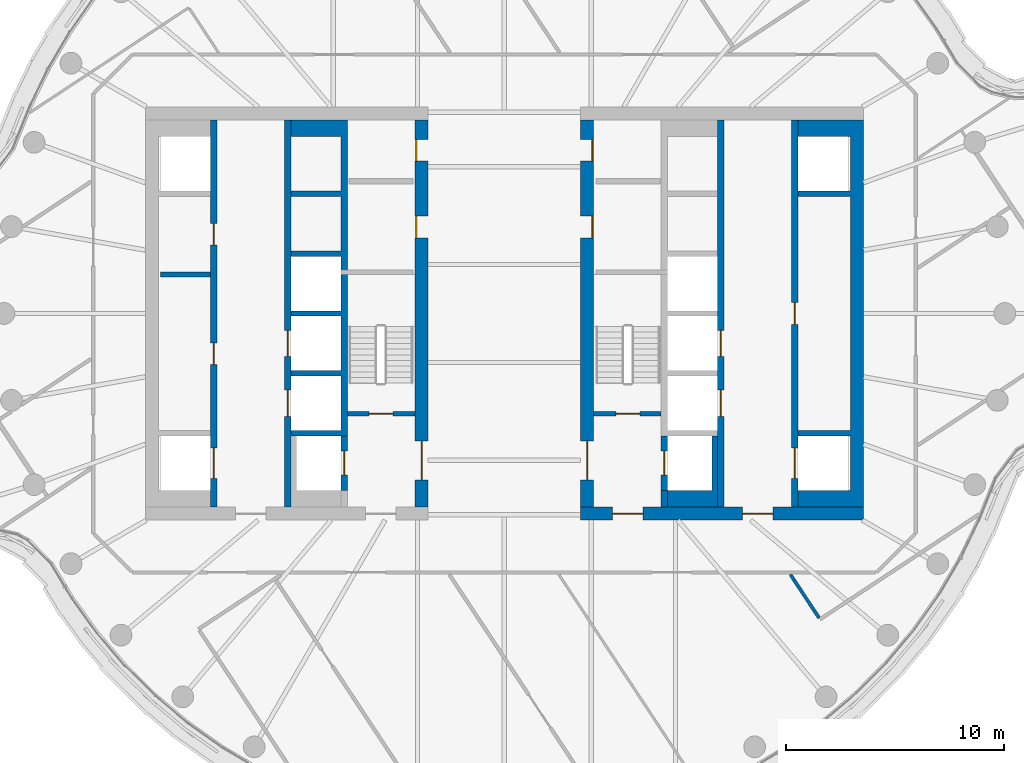
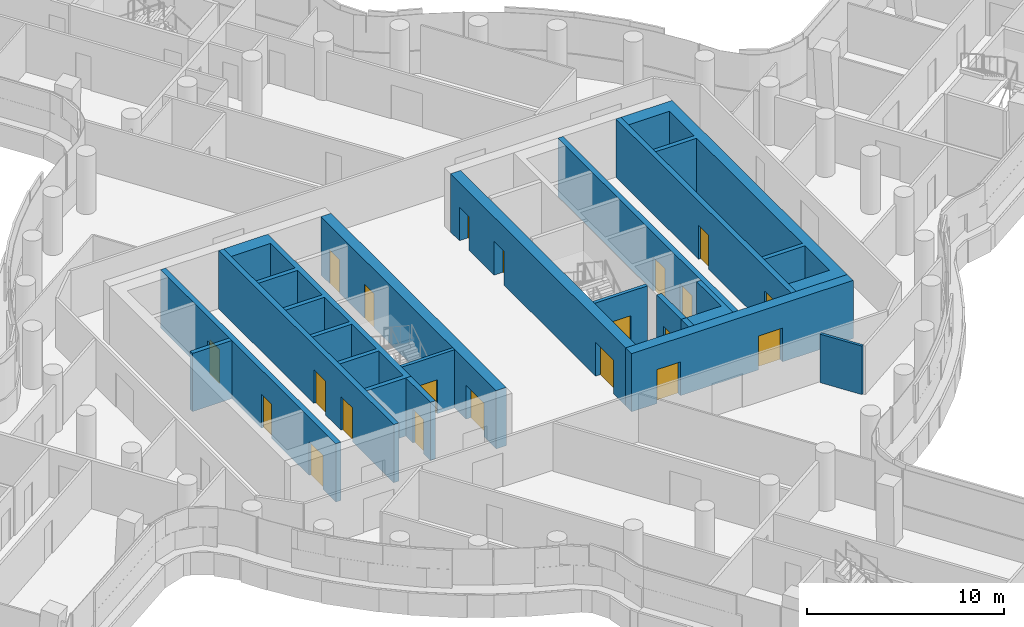
# One storey, part 24 of 35: 21 doors, 17 walls, 21 openings.
"""IFC4 building model written with IfcOpenShell, lengths in metres."""

from ifc_helpers import new_model, si_unit, direction, frame, frame_2d, origin, place, context, subcontext, project, spatial, polyline, rectangle, outline, extrude, material, layer, layer_set, type_object, element, fill, save


model = new_model("IFC4")

# Units and contexts
model_context = context("Model", 3, precision=1e-05, world=origin(), true_north=direction((0.0, 1.0)))
body_context = subcontext(model_context, "Body", "Model", "MODEL_VIEW")
ifc_project = project(units=[si_unit("LENGTHUNIT", "METRE"), si_unit("AREAUNIT", "SQUARE_METRE"), si_unit("VOLUMEUNIT", "CUBIC_METRE"), si_unit("PLANEANGLEUNIT", "RADIAN"), si_unit("MASSUNIT", "GRAM", prefix="KILO")], contexts=[model_context])

# Site, building, storey
site_placement = place(None, origin())
site = spatial("IfcSite", under=ifc_project, at=site_placement, CompositionType="ELEMENT")
building_placement = place(site_placement, origin())
building = spatial("IfcBuilding", under=site, at=building_placement, Name="Tamarind Cross Interchange Tower", CompositionType="ELEMENT")
storey_placement = place(building_placement, frame((0.0, 0.0, 155.5)))
storey = spatial("IfcBuildingStorey", under=building, at=storey_placement, Name="L38", CompositionType="ELEMENT", Elevation=155.5)

# Wall, openings, doors
ifc_material_1 = material(Name="Concrete C60", Category="concrete")
ifc_layer_1 = layer(ifc_material_1, 0.60009765625)
ifc_layer_set_1 = layer_set([ifc_layer_1], Name="Concrete C60")
wall_type_1 = type_object("IfcWallType", Name="Core wall 600 mm Concrete C60", PredefinedType="SHEAR", material=ifc_layer_set_1)
wall_1_placement = place(storey_placement, frame((-3.800048828125, -8.89990234375, 0.0), z_axis=(0.0, 0.0, 1.0), x_axis=(0.0, 1.0, 0.0)))
wall_1 = element("IfcWall", 1, at=wall_1_placement, inside=storey, type_object=wall_type_1, Name="Core wall CWL-L38-W-IN", PredefinedType="SHEAR", context=body_context, shape_type="SweptSolid", body=[
    extrude(rectangle(XDim=17.7998046875, YDim=0.60009765625, at=frame_2d((8.89990234375, 0.0))), origin(), (0.0, 0.0, 1.0), 3.610107421875),
])
opening_1_placement = place(wall_1_placement, frame((1.25, 0.0, 0.0)))
opening_1 = element("IfcOpeningElement", 2, at=opening_1_placement, cuts=wall_1, Name="Opening DCW4", PredefinedType="OPENING", context=body_context, shape_type="SweptSolid", body=[
    extrude(rectangle(XDim=1.800048828125, YDim=2.10009765625, at=frame_2d((0.89990234375, 1.050048828125))), frame((0.0, 0.31005859375, 0.0), z_axis=(0.0, -1.0, 0.0), x_axis=(1.0, 0.0, 0.0)), (0.0, 0.0, 1.0), 0.6201171875),
])
opening_2_placement = place(wall_1_placement, frame((12.37744140625, 0.0, 0.0)))
opening_2 = element("IfcOpeningElement", 3, at=opening_2_placement, cuts=wall_1, Name="Opening DCW5", PredefinedType="OPENING", context=body_context, shape_type="SweptSolid", body=[
    extrude(rectangle(XDim=1.0, YDim=2.10009765625, at=frame_2d((0.5, 1.050048828125))), frame((0.0, 0.31005859375, 0.0), z_axis=(0.0, -1.0, 0.0), x_axis=(1.0, 0.0, 0.0)), (0.0, 0.0, 1.0), 0.6201171875),
])
opening_3_placement = place(wall_1_placement, frame((15.902587890625, 0.0, 0.0)))
opening_3 = element("IfcOpeningElement", 4, at=opening_3_placement, cuts=wall_1, Name="Opening DCW5", PredefinedType="OPENING", context=body_context, shape_type="SweptSolid", body=[
    extrude(rectangle(XDim=1.0, YDim=2.10009765625, at=frame_2d((0.5, 1.050048828125))), frame((0.0, 0.31005859375, 0.0), z_axis=(0.0, -1.0, 0.0), x_axis=(1.0, 0.0, 0.0)), (0.0, 0.0, 1.0), 0.6201171875),
])
ifc_material_2 = material(Name="Steel, fire-resisting", Category="steel")
door_type_1 = type_object("IfcDoorType", Name="Core fire door 1000 x 2100 FD90", OperationType="SINGLE_SWING_LEFT", PredefinedType="DOOR", material=ifc_material_2)
door_1_placement = place(opening_2_placement, origin())
door_1 = element("IfcDoor", 5, at=door_1_placement, inside=storey, type_object=door_type_1, Name="L38 cleaner's store door", OperationType="SINGLE_SWING_LEFT", OverallHeight=2.10009765625, OverallWidth=1.0, PredefinedType="DOOR", context=body_context, shape_type="SweptSolid", body=[
    extrude(rectangle(XDim=1.0, YDim=2.10009765625, at=frame_2d((0.5, 1.050048828125))), frame((0.0, 0.27490234375, 0.0), z_axis=(0.0, -1.0, 0.0), x_axis=(1.0, 0.0, 0.0)), (0.0, 0.0, 1.0), 0.050048828125),
])
fill(opening_2, door_1)
door_2_placement = place(opening_3_placement, origin())
door_2 = element("IfcDoor", 6, at=door_2_placement, inside=storey, type_object=door_type_1, Name="L38 comms room door", OperationType="SINGLE_SWING_LEFT", OverallHeight=2.10009765625, OverallWidth=1.0, PredefinedType="DOOR", context=body_context, shape_type="SweptSolid", body=[
    extrude(rectangle(XDim=1.0, YDim=2.10009765625, at=frame_2d((0.5, 1.050048828125))), frame((0.0, 0.27490234375, 0.0), z_axis=(0.0, -1.0, 0.0), x_axis=(1.0, 0.0, 0.0)), (0.0, 0.0, 1.0), 0.050048828125),
])
fill(opening_3, door_2)
door_type_2 = type_object("IfcDoorType", Name="Core fire door 1800 x 2100 FD90", OperationType="SINGLE_SWING_LEFT", PredefinedType="DOOR", material=ifc_material_2)
door_3_placement = place(opening_1_placement, origin())
door_3 = element("IfcDoor", 7, at=door_3_placement, inside=storey, type_object=door_type_2, Name="L38 firefighting lobby door", OperationType="SINGLE_SWING_LEFT", OverallHeight=2.10009765625, OverallWidth=1.800048828125, PredefinedType="DOOR", context=body_context, shape_type="SweptSolid", body=[
    extrude(rectangle(XDim=1.800048828125, YDim=2.10009765625, at=frame_2d((0.89990234375, 1.050048828125))), frame((0.0, 0.02490234375, 0.0), z_axis=(0.0, -1.0, 0.0), x_axis=(1.0, 0.0, 0.0)), (0.0, 0.0, 1.0), 0.050048828125),
])
fill(opening_1, door_3)

wall_2_placement = place(storey_placement, frame((16.5, -9.199951171875, 0.0), z_axis=(0.0, 0.0, 1.0), x_axis=(-1.0, 0.0, 0.0)))
wall_2 = element("IfcWall", 8, at=wall_2_placement, inside=storey, type_object=wall_type_1, Name="Core wall CWL-L38-E-S", PredefinedType="SHEAR", context=body_context, shape_type="SweptSolid", body=[
    extrude(rectangle(XDim=13.0, YDim=0.60009765625, at=frame_2d((6.5, 0.0))), origin(), (0.0, 0.0, 1.0), 3.610107421875),
])
opening_4_placement = place(wall_2_placement, frame((4.14990234375, 0.0, 0.0)))
opening_4 = element("IfcOpeningElement", 9, at=opening_4_placement, cuts=wall_2, Name="Opening DCE1", PredefinedType="OPENING", context=body_context, shape_type="SweptSolid", body=[
    extrude(rectangle(XDim=1.39990234375, YDim=2.10009765625, at=frame_2d((0.699951171875, 1.050048828125))), frame((0.0, 0.31005859375, 0.0), z_axis=(0.0, -1.0, 0.0), x_axis=(1.0, 0.0, 0.0)), (0.0, 0.0, 1.0), 0.6201171875),
])
opening_5_placement = place(wall_2_placement, frame((10.125, 0.0, 0.0)))
opening_5 = element("IfcOpeningElement", 10, at=opening_5_placement, cuts=wall_2, Name="Opening DCEF", PredefinedType="OPENING", context=body_context, shape_type="SweptSolid", body=[
    extrude(rectangle(XDim=1.39990234375, YDim=2.10009765625, at=frame_2d((0.699951171875, 1.050048828125))), frame((0.0, 0.31005859375, 0.0), z_axis=(0.0, -1.0, 0.0), x_axis=(1.0, 0.0, 0.0)), (0.0, 0.0, 1.0), 0.6201171875),
])
door_type_3 = type_object("IfcDoorType", Name="Core fire door 1400 x 2100 FD90", OperationType="SINGLE_SWING_LEFT", PredefinedType="DOOR", material=ifc_material_2)
door_4_placement = place(opening_4_placement, origin())
door_4 = element("IfcDoor", 11, at=door_4_placement, inside=storey, type_object=door_type_3, Name="L38 lift lobby door", OperationType="SINGLE_SWING_LEFT", OverallHeight=2.10009765625, OverallWidth=1.39990234375, PredefinedType="DOOR", context=body_context, shape_type="SweptSolid", body=[
    extrude(rectangle(XDim=1.39990234375, YDim=2.10009765625, at=frame_2d((0.699951171875, 1.050048828125))), frame((0.0, 0.02490234375, 0.0), z_axis=(0.0, -1.0, 0.0), x_axis=(1.0, 0.0, 0.0)), (0.0, 0.0, 1.0), 0.050048828125),
])
fill(opening_4, door_4)
door_5_placement = place(opening_5_placement, origin())
door_5 = element("IfcDoor", 12, at=door_5_placement, inside=storey, type_object=door_type_3, Name="L38 firefighting lobby end door", OperationType="SINGLE_SWING_LEFT", OverallHeight=2.10009765625, OverallWidth=1.39990234375, PredefinedType="DOOR", context=body_context, shape_type="SweptSolid", body=[
    extrude(rectangle(XDim=1.39990234375, YDim=2.10009765625, at=frame_2d((0.699951171875, 1.050048828125))), frame((0.0, 0.02490234375, 0.0), z_axis=(0.0, -1.0, 0.0), x_axis=(1.0, 0.0, 0.0)), (0.0, 0.0, 1.0), 0.050048828125),
])
fill(opening_5, door_5)

# Wall
wall_3_placement = place(storey_placement, origin())
element("IfcWall", 13, at=wall_3_placement, inside=storey, type_object=wall_type_1, Name="Core wall CWL-L38-E-A", PredefinedType="SHEAR", context=body_context, shape_type="SweptSolid", body=[
    extrude(outline(polyline([(13.5, -8.125), (13.5, -8.89990234375), (15.89990234375, -8.89990234375), (16.5, -8.89990234375), (16.5, 8.89990234375), (15.89990234375, 8.89990234375), (13.5, 8.89990234375), (13.5, 8.125), (15.89990234375, 8.125), (15.89990234375, 5.625), (13.5, 5.625), (13.5, 5.375), (15.89990234375, 5.375), (15.89990234375, -5.375), (13.5, -5.375), (13.5, -5.625), (15.89990234375, -5.625), (15.89990234375, -8.125), (13.5, -8.125)])), origin(), (0.0, 0.0, 1.0), 3.610107421875),
])

# Wall, openings, doors
wall_4_placement = place(storey_placement, frame((3.800048828125, -8.89990234375, 0.0), z_axis=(0.0, 0.0, 1.0), x_axis=(0.0, 1.0, 0.0)))
wall_4 = element("IfcWall", 14, at=wall_4_placement, inside=storey, type_object=wall_type_1, Name="Core wall CWL-L38-E-IN", PredefinedType="SHEAR", context=body_context, shape_type="SweptSolid", body=[
    extrude(rectangle(XDim=17.7998046875, YDim=0.60009765625, at=frame_2d((8.89990234375, 0.0))), origin(), (0.0, 0.0, 1.0), 3.610107421875),
])
opening_6_placement = place(wall_4_placement, frame((1.25, 0.0, 0.0)))
opening_6 = element("IfcOpeningElement", 15, at=opening_6_placement, cuts=wall_4, Name="Opening DCE4", PredefinedType="OPENING", context=body_context, shape_type="SweptSolid", body=[
    extrude(rectangle(XDim=1.800048828125, YDim=2.10009765625, at=frame_2d((0.89990234375, 1.050048828125))), frame((0.0, 0.31005859375, 0.0), z_axis=(0.0, -1.0, 0.0), x_axis=(1.0, 0.0, 0.0)), (0.0, 0.0, 1.0), 0.6201171875),
])
opening_7_placement = place(wall_4_placement, frame((12.37744140625, 0.0, 0.0)))
opening_7 = element("IfcOpeningElement", 16, at=opening_7_placement, cuts=wall_4, Name="Opening DCE5", PredefinedType="OPENING", context=body_context, shape_type="SweptSolid", body=[
    extrude(rectangle(XDim=1.0, YDim=2.10009765625, at=frame_2d((0.5, 1.050048828125))), frame((0.0, 0.31005859375, 0.0), z_axis=(0.0, -1.0, 0.0), x_axis=(1.0, 0.0, 0.0)), (0.0, 0.0, 1.0), 0.6201171875),
])
opening_8_placement = place(wall_4_placement, frame((15.902587890625, 0.0, 0.0)))
opening_8 = element("IfcOpeningElement", 17, at=opening_8_placement, cuts=wall_4, Name="Opening DCE5", PredefinedType="OPENING", context=body_context, shape_type="SweptSolid", body=[
    extrude(rectangle(XDim=1.0, YDim=2.10009765625, at=frame_2d((0.5, 1.050048828125))), frame((0.0, 0.31005859375, 0.0), z_axis=(0.0, -1.0, 0.0), x_axis=(1.0, 0.0, 0.0)), (0.0, 0.0, 1.0), 0.6201171875),
])
door_6_placement = place(opening_7_placement, origin())
door_6 = element("IfcDoor", 18, at=door_6_placement, inside=storey, type_object=door_type_1, Name="L38 cleaner's store door", OperationType="SINGLE_SWING_LEFT", OverallHeight=2.10009765625, OverallWidth=1.0, PredefinedType="DOOR", context=body_context, shape_type="SweptSolid", body=[
    extrude(rectangle(XDim=1.0, YDim=2.10009765625, at=frame_2d((0.5, 1.050048828125))), frame((0.0, -0.22509765625, 0.0), z_axis=(0.0, -1.0, 0.0), x_axis=(1.0, 0.0, 0.0)), (0.0, 0.0, 1.0), 0.050048828125),
])
fill(opening_7, door_6)
door_7_placement = place(opening_8_placement, origin())
door_7 = element("IfcDoor", 19, at=door_7_placement, inside=storey, type_object=door_type_1, Name="L38 comms room door", OperationType="SINGLE_SWING_LEFT", OverallHeight=2.10009765625, OverallWidth=1.0, PredefinedType="DOOR", context=body_context, shape_type="SweptSolid", body=[
    extrude(rectangle(XDim=1.0, YDim=2.10009765625, at=frame_2d((0.5, 1.050048828125))), frame((0.0, -0.22509765625, 0.0), z_axis=(0.0, -1.0, 0.0), x_axis=(1.0, 0.0, 0.0)), (0.0, 0.0, 1.0), 0.050048828125),
])
fill(opening_8, door_7)
door_8_placement = place(opening_6_placement, origin())
door_8 = element("IfcDoor", 20, at=door_8_placement, inside=storey, type_object=door_type_2, Name="L38 firefighting lobby door", OperationType="SINGLE_SWING_LEFT", OverallHeight=2.10009765625, OverallWidth=1.800048828125, PredefinedType="DOOR", context=body_context, shape_type="SweptSolid", body=[
    extrude(rectangle(XDim=1.800048828125, YDim=2.10009765625, at=frame_2d((0.89990234375, 1.050048828125))), frame((0.0, 0.02490234375, 0.0), z_axis=(0.0, -1.0, 0.0), x_axis=(1.0, 0.0, 0.0)), (0.0, 0.0, 1.0), 0.050048828125),
])
fill(opening_6, door_8)

# Wall
ifc_layer_2 = layer(ifc_material_1, 0.300048828125)
ifc_layer_set_2 = layer_set([ifc_layer_2], Name="Concrete C60")
wall_type_2 = type_object("IfcWallType", Name="Core web wall 300 mm Concrete C60", PredefinedType="SHEAR", material=ifc_layer_set_2)
wall_5_placement = place(storey_placement, origin())
element("IfcWall", 21, at=wall_5_placement, inside=storey, type_object=wall_type_2, Name="Core wall CWL-L38-W-BN", PredefinedType="SHEAR", context=body_context, shape_type="SweptSolid", body=[
    extrude(outline(polyline([(-9.800048828125, -5.375), (-9.800048828125, -5.625), (-7.5, -5.625), (-7.199951171875, -5.625), (-7.199951171875, 8.89990234375), (-7.5, 8.89990234375), (-9.800048828125, 8.89990234375), (-9.800048828125, 8.125), (-7.5, 8.125), (-7.5, 5.625), (-9.800048828125, 5.625), (-9.800048828125, 5.375), (-7.5, 5.375), (-7.5, 2.875), (-9.800048828125, 2.875), (-9.800048828125, 2.625), (-7.5, 2.625), (-7.5, 0.125), (-9.800048828125, 0.125), (-9.800048828125, -0.125), (-7.5, -0.125), (-7.5, -2.625), (-9.800048828125, -2.625), (-9.800048828125, -2.875), (-7.5, -2.875), (-7.5, -5.375), (-9.800048828125, -5.375)])), origin(), (0.0, 0.0, 1.0), 3.610107421875),
])

# Wall, openings, doors
wall_6_placement = place(storey_placement, frame((-13.35009765625, -8.89990234375, 0.0), z_axis=(0.0, 0.0, 1.0), x_axis=(0.0, 1.0, 0.0)))
wall_6 = element("IfcWall", 22, at=wall_6_placement, inside=storey, type_object=wall_type_2, Name="Core wall CWL-L38-W-LA", PredefinedType="SHEAR", context=body_context, shape_type="SweptSolid", body=[
    extrude(rectangle(XDim=17.7998046875, YDim=0.300048828125, at=frame_2d((8.89990234375, 0.0))), origin(), (0.0, 0.0, 1.0), 3.610107421875),
])
opening_9_placement = place(wall_6_placement, frame((1.324951171875, 0.0, 0.0)))
opening_9 = element("IfcOpeningElement", 23, at=opening_9_placement, cuts=wall_6, Name="Opening LD1L38", PredefinedType="OPENING", context=body_context, shape_type="SweptSolid", body=[
    extrude(rectangle(XDim=1.39990234375, YDim=2.10009765625, at=frame_2d((0.699951171875, 1.050048828125))), frame((0.0, 0.159912109375, 0.0), z_axis=(0.0, -1.0, 0.0), x_axis=(1.0, 0.0, 0.0)), (0.0, 0.0, 1.0), 0.320068359375),
])
opening_10_placement = place(wall_6_placement, frame((6.5458984375, 0.0, 0.0)))
opening_10 = element("IfcOpeningElement", 24, at=opening_10_placement, cuts=wall_6, Name="Opening DCW9", PredefinedType="OPENING", context=body_context, shape_type="SweptSolid", body=[
    extrude(rectangle(XDim=1.0, YDim=2.10009765625, at=frame_2d((0.5, 1.050048828125))), frame((0.0, 0.159912109375, 0.0), z_axis=(0.0, -1.0, 0.0), x_axis=(1.0, 0.0, 0.0)), (0.0, 0.0, 1.0), 0.320068359375),
])
opening_11_placement = place(wall_6_placement, frame((12.0458984375, 0.0, 0.0)))
opening_11 = element("IfcOpeningElement", 25, at=opening_11_placement, cuts=wall_6, Name="Opening DCW10", PredefinedType="OPENING", context=body_context, shape_type="SweptSolid", body=[
    extrude(rectangle(XDim=1.0, YDim=2.10009765625, at=frame_2d((0.5, 1.050048828125))), frame((0.0, 0.159912109375, 0.0), z_axis=(0.0, -1.0, 0.0), x_axis=(1.0, 0.0, 0.0)), (0.0, 0.0, 1.0), 0.320068359375),
])
door_9_placement = place(opening_10_placement, origin())
door_9 = element("IfcDoor", 26, at=door_9_placement, inside=storey, type_object=door_type_1, Name="L38 Cable room door", OperationType="SINGLE_SWING_LEFT", OverallHeight=2.10009765625, OverallWidth=1.0, PredefinedType="DOOR", context=body_context, shape_type="SweptSolid", body=[
    extrude(rectangle(XDim=1.0, YDim=2.10009765625, at=frame_2d((0.5, 1.050048828125))), frame((0.0, 0.02490234375, 0.0), z_axis=(0.0, -1.0, 0.0), x_axis=(1.0, 0.0, 0.0)), (0.0, 0.0, 1.0), 0.050048828125),
])
fill(opening_10, door_9)
door_10_placement = place(opening_11_placement, origin())
door_10 = element("IfcDoor", 27, at=door_10_placement, inside=storey, type_object=door_type_1, Name="L38 Meter room door", OperationType="SINGLE_SWING_LEFT", OverallHeight=2.10009765625, OverallWidth=1.0, PredefinedType="DOOR", context=body_context, shape_type="SweptSolid", body=[
    extrude(rectangle(XDim=1.0, YDim=2.10009765625, at=frame_2d((0.5, 1.050048828125))), frame((0.0, 0.02490234375, 0.0), z_axis=(0.0, -1.0, 0.0), x_axis=(1.0, 0.0, 0.0)), (0.0, 0.0, 1.0), 0.050048828125),
])
fill(opening_11, door_10)
ifc_material_3 = material(Name="Stainless steel panel", Category="steel")
door_type_4 = type_object("IfcDoorType", Name="Lift landing door 1400 x 2100 E 120", OperationType="SLIDING_TO_LEFT", PredefinedType="DOOR", material=ifc_material_3)
door_11_placement = place(opening_9_placement, origin())
door_11 = element("IfcDoor", 28, at=door_11_placement, inside=storey, type_object=door_type_4, Name="L38 landing door LF1", OperationType="SLIDING_TO_LEFT", OverallHeight=2.10009765625, OverallWidth=1.39990234375, PredefinedType="DOOR", context=body_context, shape_type="SweptSolid", body=[
    extrude(rectangle(XDim=1.39990234375, YDim=2.10009765625, at=frame_2d((0.699951171875, 1.050048828125))), frame((0.0, 0.02490234375, 0.0), z_axis=(0.0, -1.0, 0.0), x_axis=(1.0, 0.0, 0.0)), (0.0, 0.0, 1.0), 0.050048828125),
])
fill(opening_9, door_11)

wall_7_placement = place(storey_placement, frame((-9.949951171875, -8.89990234375, 0.0), z_axis=(0.0, 0.0, 1.0), x_axis=(0.0, 1.0, 0.0)))
wall_7 = element("IfcWall", 29, at=wall_7_placement, inside=storey, type_object=wall_type_2, Name="Core wall CWL-L38-W-LB", PredefinedType="SHEAR", context=body_context, shape_type="SweptSolid", body=[
    extrude(rectangle(XDim=17.7998046875, YDim=0.300048828125, at=frame_2d((8.89990234375, 0.0))), origin(), (0.0, 0.0, 1.0), 3.610107421875),
])
opening_12_placement = place(wall_7_placement, frame((4.175048828125, 0.0, 0.0)))
opening_12 = element("IfcOpeningElement", 30, at=opening_12_placement, cuts=wall_7, Name="Opening LD8L38", PredefinedType="OPENING", context=body_context, shape_type="SweptSolid", body=[
    extrude(rectangle(XDim=1.199951171875, YDim=2.10009765625, at=frame_2d((0.60009765625, 1.050048828125))), frame((0.0, 0.159912109375, 0.0), z_axis=(0.0, -1.0, 0.0), x_axis=(1.0, 0.0, 0.0)), (0.0, 0.0, 1.0), 0.320068359375),
])
opening_13_placement = place(wall_7_placement, frame((6.925048828125, 0.0, 0.0)))
opening_13 = element("IfcOpeningElement", 31, at=opening_13_placement, cuts=wall_7, Name="Opening LD9L38", PredefinedType="OPENING", context=body_context, shape_type="SweptSolid", body=[
    extrude(rectangle(XDim=1.199951171875, YDim=2.10009765625, at=frame_2d((0.60009765625, 1.050048828125))), frame((0.0, 0.159912109375, 0.0), z_axis=(0.0, -1.0, 0.0), x_axis=(1.0, 0.0, 0.0)), (0.0, 0.0, 1.0), 0.320068359375),
])
door_type_5 = type_object("IfcDoorType", Name="Lift landing door 1200 x 2100 E 120", OperationType="SLIDING_TO_LEFT", PredefinedType="DOOR", material=ifc_material_3)
door_12_placement = place(opening_12_placement, origin())
door_12 = element("IfcDoor", 32, at=door_12_placement, inside=storey, type_object=door_type_5, Name="L38 landing door LF8", OperationType="SLIDING_TO_LEFT", OverallHeight=2.10009765625, OverallWidth=1.199951171875, PredefinedType="DOOR", context=body_context, shape_type="SweptSolid", body=[
    extrude(rectangle(XDim=1.199951171875, YDim=2.10009765625, at=frame_2d((0.60009765625, 1.050048828125))), frame((0.0, 0.02490234375, 0.0), z_axis=(0.0, -1.0, 0.0), x_axis=(1.0, 0.0, 0.0)), (0.0, 0.0, 1.0), 0.050048828125),
])
fill(opening_12, door_12)
door_13_placement = place(opening_13_placement, origin())
door_13 = element("IfcDoor", 33, at=door_13_placement, inside=storey, type_object=door_type_5, Name="L38 landing door LF9", OperationType="SLIDING_TO_LEFT", OverallHeight=2.10009765625, OverallWidth=1.199951171875, PredefinedType="DOOR", context=body_context, shape_type="SweptSolid", body=[
    extrude(rectangle(XDim=1.199951171875, YDim=2.10009765625, at=frame_2d((0.60009765625, 1.050048828125))), frame((0.0, 0.02490234375, 0.0), z_axis=(0.0, -1.0, 0.0), x_axis=(1.0, 0.0, 0.0)), (0.0, 0.0, 1.0), 0.050048828125),
])
fill(opening_13, door_13)

# Wall, opening, door
wall_8_placement = place(storey_placement, frame((-7.35009765625, -8.125, 0.0), z_axis=(0.0, 0.0, 1.0), x_axis=(0.0, 1.0, 0.0)))
wall_8 = element("IfcWall", 34, at=wall_8_placement, inside=storey, type_object=wall_type_2, Name="Core wall CWL-L38-W-FF", PredefinedType="SHEAR", context=body_context, shape_type="SweptSolid", body=[
    extrude(rectangle(XDim=2.5, YDim=0.300048828125, at=frame_2d((1.25, 0.0))), origin(), (0.0, 0.0, 1.0), 3.610107421875),
])
opening_14_placement = place(wall_8_placement, frame((0.699951171875, 0.0, 0.0)))
opening_14 = element("IfcOpeningElement", 35, at=opening_14_placement, cuts=wall_8, Name="Opening LD7L38", PredefinedType="OPENING", context=body_context, shape_type="SweptSolid", body=[
    extrude(rectangle(XDim=1.10009765625, YDim=2.10009765625, at=frame_2d((0.550048828125, 1.050048828125))), frame((0.0, 0.159912109375, 0.0), z_axis=(0.0, -1.0, 0.0), x_axis=(1.0, 0.0, 0.0)), (0.0, 0.0, 1.0), 0.320068359375),
])
door_type_6 = type_object("IfcDoorType", Name="Lift landing door 1100 x 2100 E 120", OperationType="SLIDING_TO_LEFT", PredefinedType="DOOR", material=ifc_material_3)
door_14_placement = place(opening_14_placement, origin())
door_14 = element("IfcDoor", 36, at=door_14_placement, inside=storey, type_object=door_type_6, Name="L38 landing door LF7", OperationType="SLIDING_TO_LEFT", OverallHeight=2.10009765625, OverallWidth=1.10009765625, PredefinedType="DOOR", context=body_context, shape_type="SweptSolid", body=[
    extrude(rectangle(XDim=1.10009765625, YDim=2.10009765625, at=frame_2d((0.550048828125, 1.050048828125))), frame((0.0, 0.02490234375, 0.0), z_axis=(0.0, -1.0, 0.0), x_axis=(1.0, 0.0, 0.0)), (0.0, 0.0, 1.0), 0.050048828125),
])
fill(opening_14, door_14)

# Walls
wall_9_placement = place(storey_placement, origin())
element("IfcWall", 37, at=wall_9_placement, inside=storey, type_object=wall_type_2, Name="Core wall CWL-L38-E-BS", PredefinedType="SHEAR", context=body_context, shape_type="SweptSolid", body=[
    extrude(outline(polyline([(7.5, -8.125), (7.5, -8.89990234375), (9.800048828125, -8.89990234375), (9.800048828125, -8.125), (9.800048828125, -5.625), (9.550048828125, -5.625), (9.550048828125, -8.125), (7.5, -8.125)])), origin(), (0.0, 0.0, 1.0), 3.610107421875),
])
wall_10_placement = place(storey_placement, frame((7.35009765625, -8.89990234375, 0.0), z_axis=(0.0, 0.0, 1.0), x_axis=(0.0, 1.0, 0.0)))
element("IfcWall", 38, at=wall_10_placement, inside=storey, type_object=wall_type_2, Name="Core wall CWL-L38-E-BW", PredefinedType="SHEAR", context=body_context, shape_type="SweptSolid", body=[
    extrude(rectangle(XDim=0.77490234375, YDim=0.300048828125, at=frame_2d((0.387451171875, 0.0))), origin(), (0.0, 0.0, 1.0), 3.610107421875),
])

# Wall, openings, doors
wall_11_placement = place(storey_placement, frame((13.35009765625, -8.89990234375, 0.0), z_axis=(0.0, 0.0, 1.0), x_axis=(0.0, 1.0, 0.0)))
wall_11 = element("IfcWall", 39, at=wall_11_placement, inside=storey, type_object=wall_type_2, Name="Core wall CWL-L38-E-LA", PredefinedType="SHEAR", context=body_context, shape_type="SweptSolid", body=[
    extrude(rectangle(XDim=17.7998046875, YDim=0.300048828125, at=frame_2d((8.89990234375, 0.0))), origin(), (0.0, 0.0, 1.0), 3.610107421875),
])
opening_15_placement = place(wall_11_placement, frame((1.324951171875, 0.0, 0.0)))
opening_15 = element("IfcOpeningElement", 40, at=opening_15_placement, cuts=wall_11, Name="Opening LD13L38", PredefinedType="OPENING", context=body_context, shape_type="SweptSolid", body=[
    extrude(rectangle(XDim=1.39990234375, YDim=2.10009765625, at=frame_2d((0.699951171875, 1.050048828125))), frame((0.0, 0.159912109375, 0.0), z_axis=(0.0, -1.0, 0.0), x_axis=(1.0, 0.0, 0.0)), (0.0, 0.0, 1.0), 0.320068359375),
])
opening_16_placement = place(wall_11_placement, frame((8.39990234375, 0.0, 0.0)))
opening_16 = element("IfcOpeningElement", 41, at=opening_16_placement, cuts=wall_11, Name="Opening DCE9", PredefinedType="OPENING", context=body_context, shape_type="SweptSolid", body=[
    extrude(rectangle(XDim=1.0, YDim=2.10009765625, at=frame_2d((0.5, 1.050048828125))), frame((0.0, 0.159912109375, 0.0), z_axis=(0.0, -1.0, 0.0), x_axis=(1.0, 0.0, 0.0)), (0.0, 0.0, 1.0), 0.320068359375),
])
door_15_placement = place(opening_16_placement, origin())
door_15 = element("IfcDoor", 42, at=door_15_placement, inside=storey, type_object=door_type_1, Name="L38 Meter room door", OperationType="SINGLE_SWING_LEFT", OverallHeight=2.10009765625, OverallWidth=1.0, PredefinedType="DOOR", context=body_context, shape_type="SweptSolid", body=[
    extrude(rectangle(XDim=1.0, YDim=2.10009765625, at=frame_2d((0.5, 1.050048828125))), frame((0.0, 0.02490234375, 0.0), z_axis=(0.0, -1.0, 0.0), x_axis=(1.0, 0.0, 0.0)), (0.0, 0.0, 1.0), 0.050048828125),
])
fill(opening_16, door_15)
door_16_placement = place(opening_15_placement, origin())
door_16 = element("IfcDoor", 43, at=door_16_placement, inside=storey, type_object=door_type_4, Name="L38 landing door LF13", OperationType="SLIDING_TO_LEFT", OverallHeight=2.10009765625, OverallWidth=1.39990234375, PredefinedType="DOOR", context=body_context, shape_type="SweptSolid", body=[
    extrude(rectangle(XDim=1.39990234375, YDim=2.10009765625, at=frame_2d((0.699951171875, 1.050048828125))), frame((0.0, 0.02490234375, 0.0), z_axis=(0.0, -1.0, 0.0), x_axis=(1.0, 0.0, 0.0)), (0.0, 0.0, 1.0), 0.050048828125),
])
fill(opening_15, door_16)

wall_12_placement = place(storey_placement, frame((9.949951171875, -8.89990234375, 0.0), z_axis=(0.0, 0.0, 1.0), x_axis=(0.0, 1.0, 0.0)))
wall_12 = element("IfcWall", 44, at=wall_12_placement, inside=storey, type_object=wall_type_2, Name="Core wall CWL-L38-E-LB", PredefinedType="SHEAR", context=body_context, shape_type="SweptSolid", body=[
    extrude(rectangle(XDim=17.7998046875, YDim=0.300048828125, at=frame_2d((8.89990234375, 0.0))), origin(), (0.0, 0.0, 1.0), 3.610107421875),
])
opening_17_placement = place(wall_12_placement, frame((4.175048828125, 0.0, 0.0)))
opening_17 = element("IfcOpeningElement", 45, at=opening_17_placement, cuts=wall_12, Name="Opening LD20L38", PredefinedType="OPENING", context=body_context, shape_type="SweptSolid", body=[
    extrude(rectangle(XDim=1.199951171875, YDim=2.10009765625, at=frame_2d((0.60009765625, 1.050048828125))), frame((0.0, 0.159912109375, 0.0), z_axis=(0.0, -1.0, 0.0), x_axis=(1.0, 0.0, 0.0)), (0.0, 0.0, 1.0), 0.320068359375),
])
opening_18_placement = place(wall_12_placement, frame((6.925048828125, 0.0, 0.0)))
opening_18 = element("IfcOpeningElement", 46, at=opening_18_placement, cuts=wall_12, Name="Opening LD21L38", PredefinedType="OPENING", context=body_context, shape_type="SweptSolid", body=[
    extrude(rectangle(XDim=1.199951171875, YDim=2.10009765625, at=frame_2d((0.60009765625, 1.050048828125))), frame((0.0, 0.159912109375, 0.0), z_axis=(0.0, -1.0, 0.0), x_axis=(1.0, 0.0, 0.0)), (0.0, 0.0, 1.0), 0.320068359375),
])
door_17_placement = place(opening_17_placement, origin())
door_17 = element("IfcDoor", 47, at=door_17_placement, inside=storey, type_object=door_type_5, Name="L38 landing door LF20", OperationType="SLIDING_TO_LEFT", OverallHeight=2.10009765625, OverallWidth=1.199951171875, PredefinedType="DOOR", context=body_context, shape_type="SweptSolid", body=[
    extrude(rectangle(XDim=1.199951171875, YDim=2.10009765625, at=frame_2d((0.60009765625, 1.050048828125))), frame((0.0, 0.02490234375, 0.0), z_axis=(0.0, -1.0, 0.0), x_axis=(1.0, 0.0, 0.0)), (0.0, 0.0, 1.0), 0.050048828125),
])
fill(opening_17, door_17)
door_18_placement = place(opening_18_placement, origin())
door_18 = element("IfcDoor", 48, at=door_18_placement, inside=storey, type_object=door_type_5, Name="L38 landing door LF21", OperationType="SLIDING_TO_LEFT", OverallHeight=2.10009765625, OverallWidth=1.199951171875, PredefinedType="DOOR", context=body_context, shape_type="SweptSolid", body=[
    extrude(rectangle(XDim=1.199951171875, YDim=2.10009765625, at=frame_2d((0.60009765625, 1.050048828125))), frame((0.0, 0.02490234375, 0.0), z_axis=(0.0, -1.0, 0.0), x_axis=(1.0, 0.0, 0.0)), (0.0, 0.0, 1.0), 0.050048828125),
])
fill(opening_18, door_18)

# Wall, opening, door
wall_13_placement = place(storey_placement, frame((7.35009765625, -8.125, 0.0), z_axis=(0.0, 0.0, 1.0), x_axis=(0.0, 1.0, 0.0)))
wall_13 = element("IfcWall", 49, at=wall_13_placement, inside=storey, type_object=wall_type_2, Name="Core wall CWL-L38-E-FF", PredefinedType="SHEAR", context=body_context, shape_type="SweptSolid", body=[
    extrude(rectangle(XDim=2.5, YDim=0.300048828125, at=frame_2d((1.25, 0.0))), origin(), (0.0, 0.0, 1.0), 3.610107421875),
])
opening_19_placement = place(wall_13_placement, frame((0.699951171875, 0.0, 0.0)))
opening_19 = element("IfcOpeningElement", 50, at=opening_19_placement, cuts=wall_13, Name="Opening LD19L38", PredefinedType="OPENING", context=body_context, shape_type="SweptSolid", body=[
    extrude(rectangle(XDim=1.10009765625, YDim=2.10009765625, at=frame_2d((0.550048828125, 1.050048828125))), frame((0.0, 0.159912109375, 0.0), z_axis=(0.0, -1.0, 0.0), x_axis=(1.0, 0.0, 0.0)), (0.0, 0.0, 1.0), 0.320068359375),
])
door_19_placement = place(opening_19_placement, origin())
door_19 = element("IfcDoor", 51, at=door_19_placement, inside=storey, type_object=door_type_6, Name="L38 landing door LF19", OperationType="SLIDING_TO_LEFT", OverallHeight=2.10009765625, OverallWidth=1.10009765625, PredefinedType="DOOR", context=body_context, shape_type="SweptSolid", body=[
    extrude(rectangle(XDim=1.10009765625, YDim=2.10009765625, at=frame_2d((0.550048828125, 1.050048828125))), frame((0.0, 0.02490234375, 0.0), z_axis=(0.0, -1.0, 0.0), x_axis=(1.0, 0.0, 0.0)), (0.0, 0.0, 1.0), 0.050048828125),
])
fill(opening_19, door_19)

# Walls
ifc_material_4 = material(Name="Gypsum board partition on steel studs", Category="steel")
ifc_layer_3 = layer(ifc_material_4, 0.14990234375)
ifc_layer_set_3 = layer_set([ifc_layer_3], Name="Gypsum board partition on steel studs")
wall_type_3 = type_object("IfcWallType", Name="Partition 150 mm EI 120", PredefinedType="PARTITIONING", material=ifc_layer_set_3)
wall_14_placement = place(storey_placement, frame((13.147216796875, -12.000244140625, 0.0), z_axis=(0.0, 0.0, 1.0), x_axis=(0.550825117354, -0.834620686355, 0.0)))
element("IfcWall", 52, at=wall_14_placement, inside=storey, type_object=wall_type_3, Name="Partition L38-028", PredefinedType="PARTITIONING", context=body_context, shape_type="SweptSolid", body=[
    extrude(rectangle(XDim=2.38818359375, YDim=0.14990234375, at=frame_2d((1.194091796875, 0.0))), origin(), (0.0, 0.0, 1.0), 3.010009765625),
])
ifc_material_5 = material(Name="Concrete C40", Category="concrete")
ifc_layer_4 = layer(ifc_material_5, 0.25)
ifc_layer_set_4 = layer_set([ifc_layer_4], Name="Concrete C40")
wall_type_4 = type_object("IfcWallType", Name="Shaft and lobby wall 250 mm Concrete C40", PredefinedType="PARTITIONING", material=ifc_layer_set_4)
wall_15_placement = place(storey_placement, frame((-15.800048828125, 1.7919921875, 0.0), z_axis=(0.0, 0.0, 1.0), x_axis=(1.0, 0.0, 0.0)))
element("IfcWall", 53, at=wall_15_placement, inside=storey, type_object=wall_type_4, Name="Shaft wall CWL-L38-W-FPA1", PredefinedType="PARTITIONING", context=body_context, shape_type="SweptSolid", body=[
    extrude(rectangle(XDim=2.300048828125, YDim=0.25, at=frame_2d((1.14990234375, 0.0))), origin(), (0.0, 0.0, 1.0), 3.610107421875),
])

# Wall, opening, door
ifc_layer_5 = layer(ifc_material_5, 0.199951171875)
ifc_layer_set_5 = layer_set([ifc_layer_5], Name="Concrete C40")
wall_type_5 = type_object("IfcWallType", Name="Stair shaft wall 200 mm Concrete C40", PredefinedType="SHEAR", material=ifc_layer_set_5)
wall_16_placement = place(storey_placement, frame((-7.199951171875, -4.60009765625, 0.0), z_axis=(0.0, 0.0, 1.0), x_axis=(1.0, 0.0, 0.0)))
wall_16 = element("IfcWall", 54, at=wall_16_placement, inside=storey, type_object=wall_type_5, Name="Core wall CWL-L38-W-SD", PredefinedType="SHEAR", context=body_context, shape_type="SweptSolid", body=[
    extrude(rectangle(XDim=3.099853515625, YDim=0.199951171875, at=frame_2d((1.5498046875, 0.0))), origin(), (0.0, 0.0, 1.0), 3.610107421875),
])
opening_20_placement = place(wall_16_placement, frame((0.97509765625, 0.0, 0.0)))
opening_20 = element("IfcOpeningElement", 55, at=opening_20_placement, cuts=wall_16, Name="Opening DCW6", PredefinedType="OPENING", context=body_context, shape_type="SweptSolid", body=[
    extrude(rectangle(XDim=1.10009765625, YDim=2.10009765625, at=frame_2d((0.550048828125, 1.050048828125))), frame((0.0, 0.10986328125, 0.0), z_axis=(0.0, -1.0, 0.0), x_axis=(1.0, 0.0, 0.0)), (0.0, 0.0, 1.0), 0.219970703125),
])
door_type_7 = type_object("IfcDoorType", Name="Core fire door 1100 x 2100 FD90", OperationType="SINGLE_SWING_LEFT", PredefinedType="DOOR", material=ifc_material_2)
door_20_placement = place(opening_20_placement, origin())
door_20 = element("IfcDoor", 56, at=door_20_placement, inside=storey, type_object=door_type_7, Name="L38 stair door", OperationType="SINGLE_SWING_LEFT", OverallHeight=2.10009765625, OverallWidth=1.10009765625, PredefinedType="DOOR", context=body_context, shape_type="SweptSolid", body=[
    extrude(rectangle(XDim=1.10009765625, YDim=2.10009765625, at=frame_2d((0.550048828125, 1.050048828125))), frame((0.0, 0.02490234375, 0.0), z_axis=(0.0, -1.0, 0.0), x_axis=(1.0, 0.0, 0.0)), (0.0, 0.0, 1.0), 0.050048828125),
])
fill(opening_20, door_20)

wall_17_placement = place(storey_placement, frame((7.199951171875, -4.60009765625, 0.0), z_axis=(0.0, 0.0, 1.0), x_axis=(-1.0, 0.0, 0.0)))
wall_17 = element("IfcWall", 57, at=wall_17_placement, inside=storey, type_object=wall_type_5, Name="Core wall CWL-L38-E-SD", PredefinedType="SHEAR", context=body_context, shape_type="SweptSolid", body=[
    extrude(rectangle(XDim=3.099853515625, YDim=0.199951171875, at=frame_2d((1.5498046875, 0.0))), origin(), (0.0, 0.0, 1.0), 3.610107421875),
])
opening_21_placement = place(wall_17_placement, frame((0.97509765625, 0.0, 0.0)))
opening_21 = element("IfcOpeningElement", 58, at=opening_21_placement, cuts=wall_17, Name="Opening DCE6", PredefinedType="OPENING", context=body_context, shape_type="SweptSolid", body=[
    extrude(rectangle(XDim=1.10009765625, YDim=2.10009765625, at=frame_2d((0.550048828125, 1.050048828125))), frame((0.0, 0.10986328125, 0.0), z_axis=(0.0, -1.0, 0.0), x_axis=(1.0, 0.0, 0.0)), (0.0, 0.0, 1.0), 0.219970703125),
])
door_21_placement = place(opening_21_placement, origin())
door_21 = element("IfcDoor", 59, at=door_21_placement, inside=storey, type_object=door_type_7, Name="L38 stair door", OperationType="SINGLE_SWING_LEFT", OverallHeight=2.10009765625, OverallWidth=1.10009765625, PredefinedType="DOOR", context=body_context, shape_type="SweptSolid", body=[
    extrude(rectangle(XDim=1.10009765625, YDim=2.10009765625, at=frame_2d((0.550048828125, 1.050048828125))), frame((0.0, 0.02490234375, 0.0), z_axis=(0.0, -1.0, 0.0), x_axis=(1.0, 0.0, 0.0)), (0.0, 0.0, 1.0), 0.050048828125),
])
fill(opening_21, door_21)

save(model, "model.ifc")
